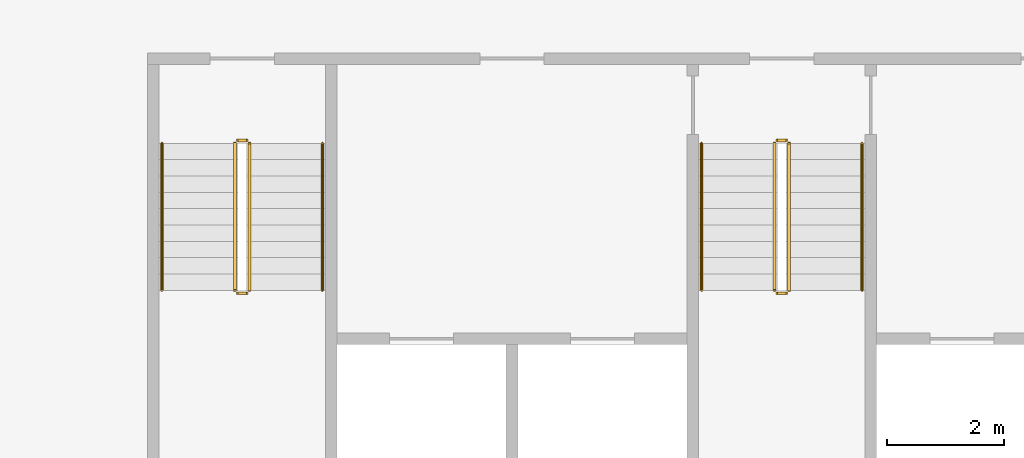
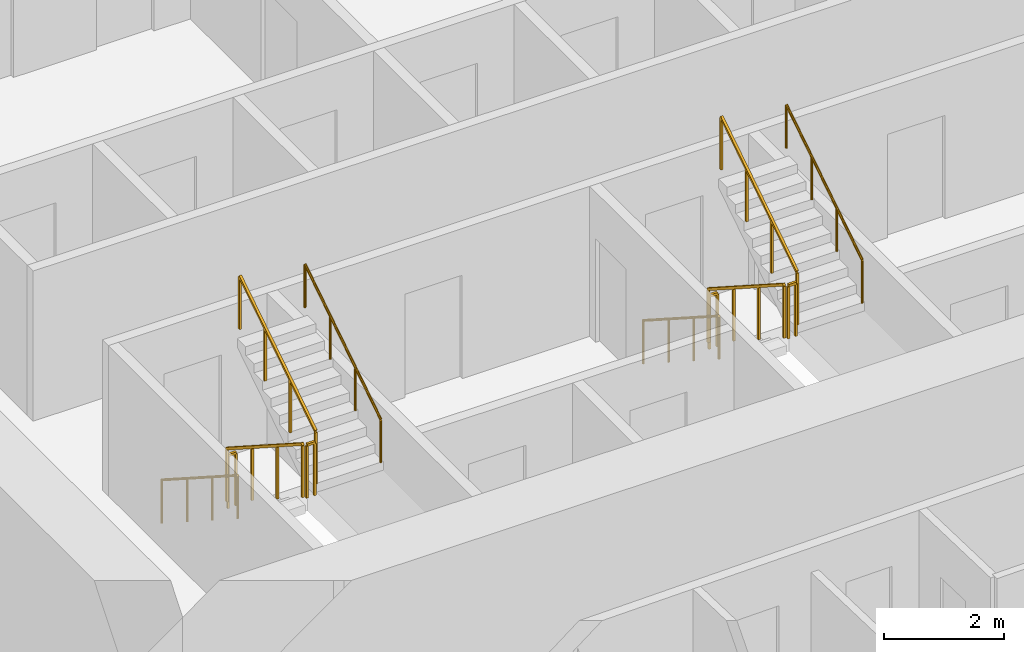
# One storey, part 15 of 17: 12 railings.
"""IFC4 building model written with IfcOpenShell, lengths in metres."""

from ifc_helpers import new_model, si_unit, direction, frame, origin, origin_2d, place, context, subcontext, project, spatial, rectangle, circle, extrude, material, type_object, element, save


model = new_model("IFC4")

# Units and contexts
model_context = context("Model", 3, precision=1e-05, world=origin(), true_north=direction((0.0, 1.0)))
body_context = subcontext(model_context, "Body", "Model", "MODEL_VIEW")
ifc_project = project(units=[si_unit("LENGTHUNIT", "METRE"), si_unit("AREAUNIT", "SQUARE_METRE"), si_unit("VOLUMEUNIT", "CUBIC_METRE"), si_unit("PLANEANGLEUNIT", "RADIAN"), si_unit("MASSUNIT", "GRAM", prefix="KILO")], contexts=[model_context])

# Site, building, storey
site_placement = place(None, origin())
site = spatial("IfcSite", under=ifc_project, at=site_placement, CompositionType="ELEMENT")
building_placement = place(site_placement, origin())
building = spatial("IfcBuilding", under=site, at=building_placement, Name="Mangrove Gate Tower", CompositionType="ELEMENT")
storey_placement = place(building_placement, frame((0.0, 0.0, 82.89990234375)))
storey = spatial("IfcBuildingStorey", under=building, at=storey_placement, Name="L20", CompositionType="ELEMENT", Elevation=82.89990234375)

# Railings
ifc_material_1 = material(Name="Stainless steel 316", Category="steel")
railing_type_1 = type_object("IfcRailingType", Name="Core stair guard 1100", PredefinedType="GUARDRAIL", material=ifc_material_1)
railing_1_placement = place(storey_placement, frame((-9.39990234375, -4.64990234375, 0.18017578125)))
element("IfcRailing", 1, at=railing_1_placement, inside=storey, type_object=railing_type_1, Name="L20 ST1 stair guard 1", PredefinedType="GUARDRAIL", context=body_context, shape_type="SweptSolid", body=[
    extrude(rectangle(XDim=0.048095703125, YDim=0.048095703125, at=origin_2d()), frame((0.0, 0.0, 1.076171875), z_axis=(0.0, -0.841199657755, 0.540724639528), x_axis=(1.0, 0.0, 0.0)), (0.0, 0.0, 1.0), 2.995849609375),
    extrude(rectangle(XDim=0.0419921875, YDim=0.0419921875, at=origin_2d()), origin(), (0.0, 0.0, 1.0), 1.052001953125),
    extrude(rectangle(XDim=0.0419921875, YDim=0.0419921875, at=origin_2d()), frame((0.0, -0.840087890625, 0.5400390625)), (0.0, 0.0, 1.0), 1.052001953125),
    extrude(rectangle(XDim=0.0419921875, YDim=0.0419921875, at=origin_2d()), frame((0.0, -1.679931640625, 1.079833984375)), (0.0, 0.0, 1.0), 1.052001953125),
    extrude(rectangle(XDim=0.0419921875, YDim=0.0419921875, at=origin_2d()), frame((0.0, -2.52001953125, 1.619873046875)), (0.0, 0.0, 1.0), 1.052001953125),
])
railing_2_placement = place(storey_placement, frame((-9.35009765625, -7.219970703125, 1.800048828125)))
element("IfcRailing", 2, at=railing_2_placement, inside=storey, type_object=railing_type_1, Name="L20 ST1 stair guard 2", PredefinedType="GUARDRAIL", context=body_context, shape_type="SweptSolid", body=[
    extrude(rectangle(XDim=0.048095703125, YDim=0.048095703125, at=origin_2d()), frame((0.0, 0.0, 1.076171875), z_axis=(1.0, 0.0, 0.0), x_axis=(0.0, 1.0, 0.0)), (0.0, 0.0, 1.0), 0.150146484375),
    extrude(rectangle(XDim=0.0419921875, YDim=0.0419921875, at=origin_2d()), origin(), (0.0, 0.0, 1.0), 1.052001953125),
    extrude(rectangle(XDim=0.0419921875, YDim=0.0419921875, at=origin_2d()), frame((0.150146484375, 0.0, 0.0)), (0.0, 0.0, 1.0), 1.052001953125),
])
railing_3_placement = place(storey_placement, frame((-9.14990234375, -7.169921875, 1.97998046875)))
element("IfcRailing", 3, at=railing_3_placement, inside=storey, type_object=railing_type_1, Name="L20 ST1 stair guard 3", PredefinedType="GUARDRAIL", context=body_context, shape_type="SweptSolid", body=[
    extrude(rectangle(XDim=0.048095703125, YDim=0.048095703125, at=origin_2d()), frame((0.0, 0.0, 1.076171875), z_axis=(0.0, 0.841162588446, 0.540782303519), x_axis=(-1.0, 0.0, 0.0)), (0.0, 0.0, 1.0), 2.995849609375),
    extrude(rectangle(XDim=0.0419921875, YDim=0.0419921875, at=origin_2d()), origin(), (0.0, 0.0, 1.0), 1.052001953125),
    extrude(rectangle(XDim=0.0419921875, YDim=0.0419921875, at=origin_2d()), frame((0.0, 0.840087890625, 0.5400390625)), (0.0, 0.0, 1.0), 1.052001953125),
    extrude(rectangle(XDim=0.0419921875, YDim=0.0419921875, at=origin_2d()), frame((0.0, 1.679931640625, 1.080078125)), (0.0, 0.0, 1.0), 1.052001953125),
    extrude(rectangle(XDim=0.0419921875, YDim=0.0419921875, at=origin_2d()), frame((0.0, 2.52001953125, 1.6201171875)), (0.0, 0.0, 1.0), 1.052001953125),
])
railing_4_placement = place(storey_placement, frame((-9.35009765625, -4.60009765625, 0.0)))
element("IfcRailing", 4, at=railing_4_placement, inside=storey, type_object=railing_type_1, Name="L20 ST1 stair guard 4", PredefinedType="GUARDRAIL", context=body_context, shape_type="SweptSolid", body=[
    extrude(rectangle(XDim=0.048095703125, YDim=0.048095703125, at=origin_2d()), frame((0.0, 0.0, 1.076171875), z_axis=(1.0, 0.0, 0.0), x_axis=(0.0, 1.0, 0.0)), (0.0, 0.0, 1.0), 0.150146484375),
    extrude(rectangle(XDim=0.0419921875, YDim=0.0419921875, at=origin_2d()), origin(), (0.0, 0.0, 1.0), 1.052001953125),
    extrude(rectangle(XDim=0.0419921875, YDim=0.0419921875, at=origin_2d()), frame((0.150146484375, 0.0, 0.0)), (0.0, 0.0, 1.0), 1.052001953125),
])
railing_5_placement = place(storey_placement, frame((-0.14990234375, -4.64990234375, 0.18017578125)))
element("IfcRailing", 5, at=railing_5_placement, inside=storey, type_object=railing_type_1, Name="L20 ST2 stair guard 1", PredefinedType="GUARDRAIL", context=body_context, shape_type="SweptSolid", body=[
    extrude(rectangle(XDim=0.048095703125, YDim=0.048095703125, at=origin_2d()), frame((0.0, 0.0, 1.076171875), z_axis=(0.0, -0.841199657755, 0.540724639528), x_axis=(1.0, 0.0, 0.0)), (0.0, 0.0, 1.0), 2.995849609375),
    extrude(rectangle(XDim=0.0419921875, YDim=0.0419921875, at=origin_2d()), origin(), (0.0, 0.0, 1.0), 1.052001953125),
    extrude(rectangle(XDim=0.0419921875, YDim=0.0419921875, at=origin_2d()), frame((0.0, -0.840087890625, 0.5400390625)), (0.0, 0.0, 1.0), 1.052001953125),
    extrude(rectangle(XDim=0.0419921875, YDim=0.0419921875, at=origin_2d()), frame((0.0, -1.679931640625, 1.079833984375)), (0.0, 0.0, 1.0), 1.052001953125),
    extrude(rectangle(XDim=0.0419921875, YDim=0.0419921875, at=origin_2d()), frame((0.0, -2.52001953125, 1.619873046875)), (0.0, 0.0, 1.0), 1.052001953125),
])
railing_6_placement = place(storey_placement, frame((-0.10009765625, -7.219970703125, 1.800048828125)))
element("IfcRailing", 6, at=railing_6_placement, inside=storey, type_object=railing_type_1, Name="L20 ST2 stair guard 2", PredefinedType="GUARDRAIL", context=body_context, shape_type="SweptSolid", body=[
    extrude(rectangle(XDim=0.048095703125, YDim=0.048095703125, at=origin_2d()), frame((0.0, 0.0, 1.076171875), z_axis=(1.0, 0.0, 0.0), x_axis=(0.0, 1.0, 0.0)), (0.0, 0.0, 1.0), 0.150146484375),
    extrude(rectangle(XDim=0.0419921875, YDim=0.0419921875, at=origin_2d()), origin(), (0.0, 0.0, 1.0), 1.052001953125),
    extrude(rectangle(XDim=0.0419921875, YDim=0.0419921875, at=origin_2d()), frame((0.150146484375, 0.0, 0.0)), (0.0, 0.0, 1.0), 1.052001953125),
])
railing_7_placement = place(storey_placement, frame((0.10009765625, -7.169921875, 1.97998046875)))
element("IfcRailing", 7, at=railing_7_placement, inside=storey, type_object=railing_type_1, Name="L20 ST2 stair guard 3", PredefinedType="GUARDRAIL", context=body_context, shape_type="SweptSolid", body=[
    extrude(rectangle(XDim=0.048095703125, YDim=0.048095703125, at=origin_2d()), frame((0.0, 0.0, 1.076171875), z_axis=(0.0, 0.841162588446, 0.540782303519), x_axis=(-1.0, 0.0, 0.0)), (0.0, 0.0, 1.0), 2.995849609375),
    extrude(rectangle(XDim=0.0419921875, YDim=0.0419921875, at=origin_2d()), origin(), (0.0, 0.0, 1.0), 1.052001953125),
    extrude(rectangle(XDim=0.0419921875, YDim=0.0419921875, at=origin_2d()), frame((0.0, 0.840087890625, 0.5400390625)), (0.0, 0.0, 1.0), 1.052001953125),
    extrude(rectangle(XDim=0.0419921875, YDim=0.0419921875, at=origin_2d()), frame((0.0, 1.679931640625, 1.080078125)), (0.0, 0.0, 1.0), 1.052001953125),
    extrude(rectangle(XDim=0.0419921875, YDim=0.0419921875, at=origin_2d()), frame((0.0, 2.52001953125, 1.6201171875)), (0.0, 0.0, 1.0), 1.052001953125),
])
railing_8_placement = place(storey_placement, frame((-0.10009765625, -4.60009765625, 0.0)))
element("IfcRailing", 8, at=railing_8_placement, inside=storey, type_object=railing_type_1, Name="L20 ST2 stair guard 4", PredefinedType="GUARDRAIL", context=body_context, shape_type="SweptSolid", body=[
    extrude(rectangle(XDim=0.048095703125, YDim=0.048095703125, at=origin_2d()), frame((0.0, 0.0, 1.076171875), z_axis=(1.0, 0.0, 0.0), x_axis=(0.0, 1.0, 0.0)), (0.0, 0.0, 1.0), 0.150146484375),
    extrude(rectangle(XDim=0.0419921875, YDim=0.0419921875, at=origin_2d()), origin(), (0.0, 0.0, 1.0), 1.052001953125),
    extrude(rectangle(XDim=0.0419921875, YDim=0.0419921875, at=origin_2d()), frame((0.150146484375, 0.0, 0.0)), (0.0, 0.0, 1.0), 1.052001953125),
])
ifc_material_2 = material(Name="Stainless steel 316", Category="steel")
railing_type_2 = type_object("IfcRailingType", Name="Core stair handrail 900", PredefinedType="HANDRAIL", material=ifc_material_2)
railing_9_placement = place(storey_placement, frame((-10.64990234375, -4.64990234375, 0.18017578125)))
element("IfcRailing", 9, at=railing_9_placement, inside=storey, type_object=railing_type_2, Name="L20 ST1 stair handrail 1", PredefinedType="HANDRAIL", context=body_context, shape_type="SweptSolid", body=[
    extrude(circle(Radius=0.02392578125, at=origin_2d()), frame((0.0, 0.0, 0.8759765625), z_axis=(0.0, -0.841199657755, 0.540724639528), x_axis=(1.0, 0.0, 0.0)), (0.0, 0.0, 1.0), 2.995849609375),
    extrude(circle(Radius=0.02099609375, at=origin_2d()), origin(), (0.0, 0.0, 1.0), 0.851806640625),
    extrude(circle(Radius=0.02099609375, at=origin_2d()), frame((0.0, -0.840087890625, 0.5400390625)), (0.0, 0.0, 1.0), 0.851806640625),
    extrude(circle(Radius=0.02099609375, at=origin_2d()), frame((0.0, -1.679931640625, 1.079833984375)), (0.0, 0.0, 1.0), 0.851806640625),
    extrude(circle(Radius=0.02099609375, at=origin_2d()), frame((0.0, -2.52001953125, 1.619873046875)), (0.0, 0.0, 1.0), 0.851806640625),
])
railing_10_placement = place(storey_placement, frame((-7.89990234375, -7.169921875, 1.97998046875)))
element("IfcRailing", 10, at=railing_10_placement, inside=storey, type_object=railing_type_2, Name="L20 ST1 stair handrail 2", PredefinedType="HANDRAIL", context=body_context, shape_type="SweptSolid", body=[
    extrude(circle(Radius=0.02392578125, at=origin_2d()), frame((0.0, 0.0, 0.8759765625), z_axis=(0.0, 0.841162588446, 0.540782303519), x_axis=(-1.0, 0.0, 0.0)), (0.0, 0.0, 1.0), 2.995849609375),
    extrude(circle(Radius=0.02099609375, at=origin_2d()), origin(), (0.0, 0.0, 1.0), 0.851806640625),
    extrude(circle(Radius=0.02099609375, at=origin_2d()), frame((0.0, 0.840087890625, 0.5400390625)), (0.0, 0.0, 1.0), 0.851806640625),
    extrude(circle(Radius=0.02099609375, at=origin_2d()), frame((0.0, 1.679931640625, 1.080078125)), (0.0, 0.0, 1.0), 0.851806640625),
    extrude(circle(Radius=0.02099609375, at=origin_2d()), frame((0.0, 2.52001953125, 1.6201171875)), (0.0, 0.0, 1.0), 0.851806640625),
])
railing_11_placement = place(storey_placement, frame((-1.39990234375, -4.64990234375, 0.18017578125)))
element("IfcRailing", 11, at=railing_11_placement, inside=storey, type_object=railing_type_2, Name="L20 ST2 stair handrail 1", PredefinedType="HANDRAIL", context=body_context, shape_type="SweptSolid", body=[
    extrude(circle(Radius=0.02392578125, at=origin_2d()), frame((0.0, 0.0, 0.8759765625), z_axis=(0.0, -0.841199657755, 0.540724639528), x_axis=(1.0, 0.0, 0.0)), (0.0, 0.0, 1.0), 2.995849609375),
    extrude(circle(Radius=0.02099609375, at=origin_2d()), origin(), (0.0, 0.0, 1.0), 0.851806640625),
    extrude(circle(Radius=0.02099609375, at=origin_2d()), frame((0.0, -0.840087890625, 0.5400390625)), (0.0, 0.0, 1.0), 0.851806640625),
    extrude(circle(Radius=0.02099609375, at=origin_2d()), frame((0.0, -1.679931640625, 1.079833984375)), (0.0, 0.0, 1.0), 0.851806640625),
    extrude(circle(Radius=0.02099609375, at=origin_2d()), frame((0.0, -2.52001953125, 1.619873046875)), (0.0, 0.0, 1.0), 0.851806640625),
])
railing_12_placement = place(storey_placement, frame((1.35009765625, -7.169921875, 1.97998046875)))
element("IfcRailing", 12, at=railing_12_placement, inside=storey, type_object=railing_type_2, Name="L20 ST2 stair handrail 2", PredefinedType="HANDRAIL", context=body_context, shape_type="SweptSolid", body=[
    extrude(circle(Radius=0.02392578125, at=origin_2d()), frame((0.0, 0.0, 0.8759765625), z_axis=(0.0, 0.841162588446, 0.540782303519), x_axis=(-1.0, 0.0, 0.0)), (0.0, 0.0, 1.0), 2.995849609375),
    extrude(circle(Radius=0.02099609375, at=origin_2d()), origin(), (0.0, 0.0, 1.0), 0.851806640625),
    extrude(circle(Radius=0.02099609375, at=origin_2d()), frame((0.0, 0.840087890625, 0.5400390625)), (0.0, 0.0, 1.0), 0.851806640625),
    extrude(circle(Radius=0.02099609375, at=origin_2d()), frame((0.0, 1.679931640625, 1.080078125)), (0.0, 0.0, 1.0), 0.851806640625),
    extrude(circle(Radius=0.02099609375, at=origin_2d()), frame((0.0, 2.52001953125, 1.6201171875)), (0.0, 0.0, 1.0), 0.851806640625),
])

save(model, "model.ifc")
